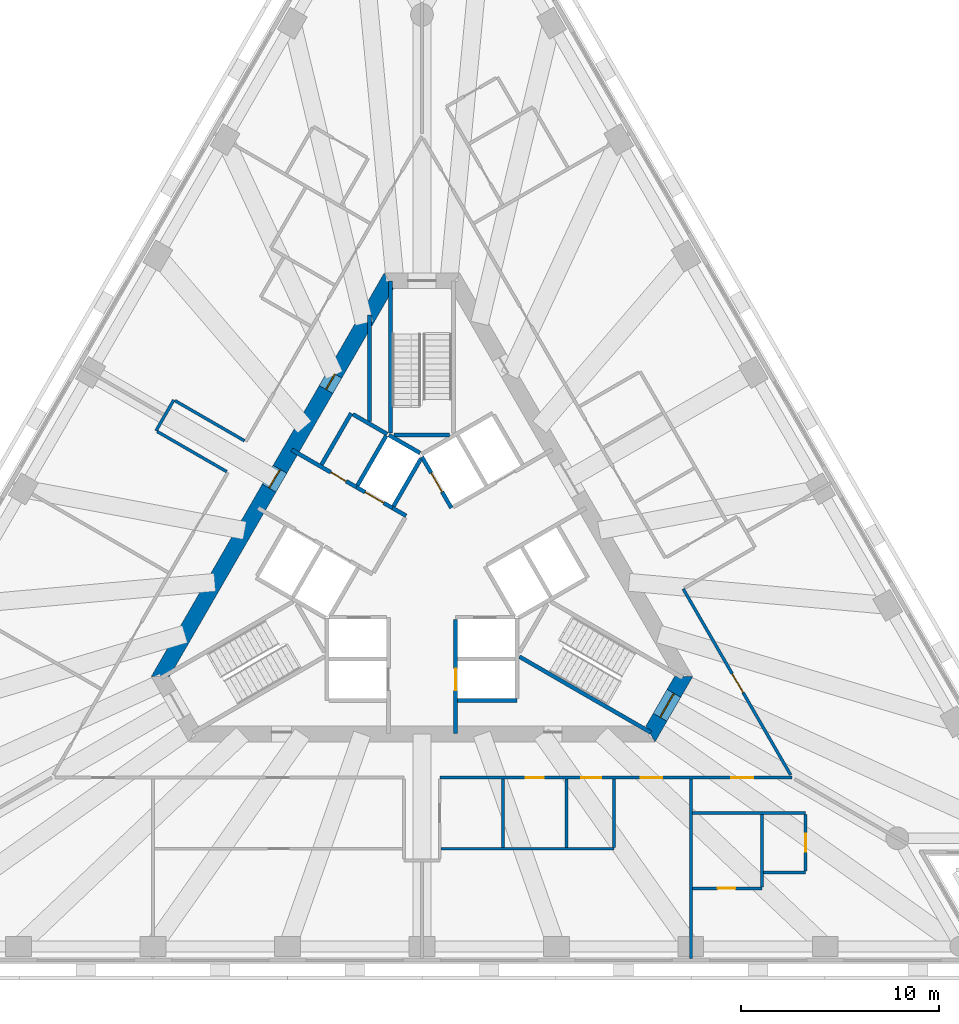
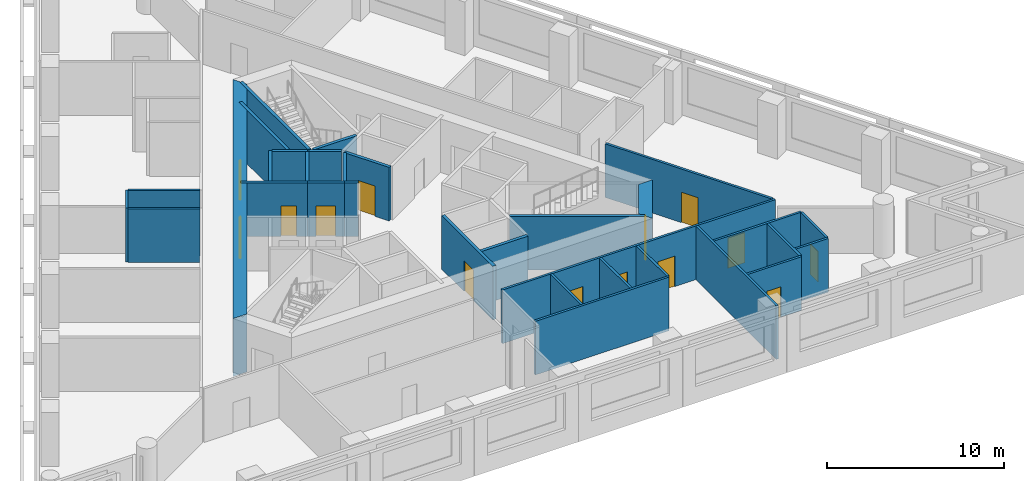
# One storey, part 4 of 9: 32 walls, 14 doors, 14 openings.
"""IFC4 building model written with IfcOpenShell, lengths in metres."""

from ifc_helpers import new_model, si_unit, direction, frame, frame_2d, origin, place, context, subcontext, project, spatial, polyline, rectangle, outline, extrude, material, layer, layer_set, type_object, element, fill, save


model = new_model("IFC4")

# Units and contexts
model_context = context("Model", 3, precision=1e-05, world=origin(), true_north=direction((0.0, 1.0)))
body_context = subcontext(model_context, "Body", "Model", "MODEL_VIEW")
ifc_project = project(units=[si_unit("LENGTHUNIT", "METRE"), si_unit("AREAUNIT", "SQUARE_METRE"), si_unit("VOLUMEUNIT", "CUBIC_METRE"), si_unit("PLANEANGLEUNIT", "RADIAN"), si_unit("MASSUNIT", "GRAM", prefix="KILO")], contexts=[model_context])

# Site, building, storey
site_placement = place(None, origin())
site = spatial("IfcSite", under=ifc_project, at=site_placement, CompositionType="ELEMENT")
building_placement = place(site_placement, origin())
building = spatial("IfcBuilding", under=site, at=building_placement, Name="Triada Interchange Tower", CompositionType="ELEMENT")
storey_placement = place(building_placement, frame((0.0, 0.0, 132.300048828125)))
storey = spatial("IfcBuildingStorey", under=building, at=storey_placement, Name="L30", CompositionType="ELEMENT", Elevation=132.300048828125)

# Wall
ifc_material_1 = material(Name="Concrete C30/37", Category="concrete")
ifc_layer_1 = layer(ifc_material_1, 0.199951171875)
ifc_layer_set_1 = layer_set([ifc_layer_1], Name="CORE WALL 200 EI 120")
wall_type_1 = type_object("IfcWallType", Name="CORE WALL 200 EI 120", PredefinedType="SOLIDWALL", material=ifc_layer_set_1)
wall_1_placement = place(storey_placement, frame((1.800048828125, -6.89990234375, 0.0), z_axis=(0.0, 0.0, 1.0), x_axis=(1.0, 0.0, 0.0)))
element("IfcWall", 1, at=wall_1_placement, inside=storey, type_object=wall_type_1, Name="Wall L29 58", PredefinedType="SOLIDWALL", context=body_context, shape_type="SweptSolid", body=[
    extrude(rectangle(XDim=3.0, YDim=0.199951171875, at=frame_2d((1.5, 0.0))), origin(), (0.0, 0.0, 1.0), 3.699951171875),
])

# Wall, opening, door
wall_2_placement = place(storey_placement, frame((0.0, 5.39990234375, 0.0), z_axis=(0.0, 0.0, 1.0), x_axis=(0.500103862429, -0.865965430478, 0.0)))
wall_2 = element("IfcWall", 2, at=wall_2_placement, inside=storey, type_object=wall_type_1, Name="Wall L29 65", PredefinedType="SOLIDWALL", context=body_context, shape_type="SweptSolid", body=[
    extrude(rectangle(XDim=2.973388671875, YDim=0.199951171875, at=frame_2d((1.48681640625, 0.0))), origin(), (0.0, 0.0, 1.0), 3.699951171875),
])
opening_1_placement = place(wall_2_placement, frame((0.93701171875, 0.0, 0.0)))
opening_1 = element("IfcOpeningElement", 3, at=opening_1_placement, cuts=wall_2, Name="Opening LD-LR5", PredefinedType="OPENING", context=body_context, shape_type="SweptSolid", body=[
    extrude(rectangle(XDim=1.10009765625, YDim=2.10009765625, at=frame_2d((0.550048828125, 1.050048828125))), frame((0.0, 0.10986328125, 0.0), z_axis=(0.0, -1.0, 0.0), x_axis=(1.0, 0.0, 0.0)), (0.0, 0.0, 1.0), 0.219970703125),
])
ifc_material_2 = material(Name="Steel S235 door leaf", Category="steel")
door_type_1 = type_object("IfcDoorType", Name="LIFT LANDING DOOR 1100 EI 120", OperationType="SLIDING_TO_LEFT", PredefinedType="DOOR", material=ifc_material_2)
door_1_placement = place(opening_1_placement, origin())
door_1 = element("IfcDoor", 4, at=door_1_placement, inside=storey, type_object=door_type_1, Name="LR5 landing door L30", OperationType="SLIDING_TO_LEFT", OverallHeight=2.10009765625, OverallWidth=1.10009765625, PredefinedType="DOOR", context=body_context, shape_type="SweptSolid", body=[
    extrude(rectangle(XDim=1.10009765625, YDim=2.10009765625, at=frame_2d((0.550048828125, 1.050048828125))), frame((0.0, 0.02490234375, 0.0), z_axis=(0.0, -1.0, 0.0), x_axis=(1.0, 0.0, 0.0)), (0.0, 0.0, 1.0), 0.050048828125),
])
fill(opening_1, door_1)

wall_3_placement = place(storey_placement, frame((1.699951171875, -8.580078125, 0.0), z_axis=(0.0, 0.0, 1.0), x_axis=(0.0, 1.0, 0.0)))
wall_3 = element("IfcWall", 5, at=wall_3_placement, inside=storey, type_object=wall_type_1, Name="Wall L29 68", PredefinedType="SOLIDWALL", context=body_context, shape_type="SweptSolid", body=[
    extrude(rectangle(XDim=5.777099609375, YDim=0.199951171875, at=frame_2d((2.888671875, 0.0))), origin(), (0.0, 0.0, 1.0), 3.699951171875),
])
opening_2_placement = place(wall_3_placement, frame((2.179931640625, 0.0, 0.0)))
opening_2 = element("IfcOpeningElement", 6, at=opening_2_placement, cuts=wall_3, Name="Opening LD-LR2", PredefinedType="OPENING", context=body_context, shape_type="SweptSolid", body=[
    extrude(rectangle(XDim=1.10009765625, YDim=2.10009765625, at=frame_2d((0.550048828125, 1.050048828125))), frame((0.0, 0.10986328125, 0.0), z_axis=(0.0, -1.0, 0.0), x_axis=(1.0, 0.0, 0.0)), (0.0, 0.0, 1.0), 0.219970703125),
])
door_2_placement = place(opening_2_placement, origin())
door_2 = element("IfcDoor", 7, at=door_2_placement, inside=storey, type_object=door_type_1, Name="LR2 landing door L30", OperationType="SLIDING_TO_LEFT", OverallHeight=2.10009765625, OverallWidth=1.10009765625, PredefinedType="DOOR", context=body_context, shape_type="SweptSolid", body=[
    extrude(rectangle(XDim=1.10009765625, YDim=2.10009765625, at=frame_2d((0.550048828125, 1.050048828125))), frame((0.0, 0.02490234375, 0.0), z_axis=(0.0, -1.0, 0.0), x_axis=(1.0, 0.0, 0.0)), (0.0, 0.0, 1.0), 0.050048828125),
])
fill(opening_2, door_2)

ifc_layer_2 = layer(ifc_material_1, 0.199951171875)
ifc_layer_set_2 = layer_set([ifc_layer_2], Name="CORE WALL 200 EI 180")
wall_type_2 = type_object("IfcWallType", Name="CORE WALL 200 EI 180", PredefinedType="SOLIDWALL", material=ifc_layer_set_2)
wall_4_placement = place(storey_placement, frame((-6.580078125, 5.761962890625, 0.0), z_axis=(0.0, 0.0, 1.0), x_axis=(0.866029704776, -0.49999255039, 0.0)))
wall_4 = element("IfcWall", 8, at=wall_4_placement, inside=storey, type_object=wall_type_2, Name="Wall L29 78", PredefinedType="SOLIDWALL", context=body_context, shape_type="SweptSolid", body=[
    extrude(rectangle(XDim=3.78173828125, YDim=0.199951171875, at=frame_2d((1.890869140625, 0.0))), origin(), (0.0, 0.0, 1.0), 3.699951171875),
])
opening_3_placement = place(wall_4_placement, frame((2.279052734375, 0.0, 0.0)))
opening_3 = element("IfcOpeningElement", 9, at=opening_3_placement, cuts=wall_4, Name="Opening D29-10", PredefinedType="OPENING", context=body_context, shape_type="SweptSolid", body=[
    extrude(rectangle(XDim=0.89990234375, YDim=2.10009765625, at=frame_2d((0.449951171875, 1.050048828125))), frame((0.0, 0.10986328125, 0.0), z_axis=(0.0, -1.0, 0.0), x_axis=(1.0, 0.0, 0.0)), (0.0, 0.0, 1.0), 0.219970703125),
])
door_type_2 = type_object("IfcDoorType", Name="SERVICE DOOR 900 EI2 90-C5S200", OperationType="NOTDEFINED", PredefinedType="DOOR", material=ifc_material_2)
door_3_placement = place(opening_3_placement, origin())
door_3 = element("IfcDoor", 10, at=door_3_placement, inside=storey, type_object=door_type_2, Name="Door D29-10 L30", OperationType="SINGLE_SWING_LEFT", OverallHeight=2.10009765625, OverallWidth=0.89990234375, PredefinedType="DOOR", context=body_context, shape_type="SweptSolid", body=[
    extrude(rectangle(XDim=0.89990234375, YDim=2.10009765625, at=frame_2d((0.449951171875, 1.050048828125))), frame((0.0, 0.02490234375, 0.0), z_axis=(0.0, -1.0, 0.0), x_axis=(1.0, 0.0, 0.0)), (0.0, 0.0, 1.0), 0.050048828125),
])
fill(opening_3, door_3)

# Walls
wall_5_placement = place(storey_placement, frame((-1.488037109375, 2.822021484375, 0.0), z_axis=(0.0, 0.0, 1.0), x_axis=(0.866236612152, -0.499633997809, 0.0)))
element("IfcWall", 11, at=wall_5_placement, inside=storey, type_object=wall_type_2, Name="Wall L29 79", PredefinedType="SOLIDWALL", context=body_context, shape_type="SweptSolid", body=[
    extrude(rectangle(XDim=0.79638671875, YDim=0.199951171875, at=frame_2d((0.398193359375, 0.0))), origin(), (0.0, 0.0, 1.0), 3.699951171875),
])
wall_6_placement = place(storey_placement, frame((-5.075927734375, 5.009033203125, 0.0), z_axis=(0.0, 0.0, 1.0), x_axis=(0.50002537861, 0.866010750942, 0.0)))
element("IfcWall", 12, at=wall_6_placement, inside=storey, type_object=wall_type_2, Name="Wall L29 80", PredefinedType="SOLIDWALL", context=body_context, shape_type="SweptSolid", body=[
    extrude(rectangle(XDim=2.999755859375, YDim=0.199951171875, at=frame_2d((1.5, 0.0))), origin(), (0.0, 0.0, 1.0), 3.699951171875),
])
wall_7_placement = place(storey_placement, frame((-3.489013671875, 7.556884765625, 0.0), z_axis=(0.0, 0.0, 1.0), x_axis=(0.866010750942, -0.50002537861, 0.0)))
element("IfcWall", 13, at=wall_7_placement, inside=storey, type_object=wall_type_2, Name="Wall L29 81", PredefinedType="SOLIDWALL", context=body_context, shape_type="SweptSolid", body=[
    extrude(rectangle(XDim=2.0, YDim=0.199951171875, at=frame_2d((1.0, 0.0))), origin(), (0.0, 0.0, 1.0), 3.699951171875),
])

# Wall, opening, door
wall_8_placement = place(storey_placement, frame((-3.30908203125, 3.873046875, 0.0), z_axis=(0.0, 0.0, 1.0), x_axis=(0.866098583652, -0.499873227325, 0.0)))
wall_8 = element("IfcWall", 14, at=wall_8_placement, inside=storey, type_object=wall_type_2, Name="Shaft wall FF2 L29 87", PredefinedType="SOLIDWALL", context=body_context, shape_type="SweptSolid", body=[
    extrude(rectangle(XDim=2.1025390625, YDim=0.199951171875, at=frame_2d((1.05126953125, 0.0))), origin(), (0.0, 0.0, 1.0), 3.699951171875),
])
opening_4_placement = place(wall_8_placement, frame((0.501953125, 0.0, 0.0)))
opening_4 = element("IfcOpeningElement", 15, at=opening_4_placement, cuts=wall_8, Name="Opening LD-FF2", PredefinedType="OPENING", context=body_context, shape_type="SweptSolid", body=[
    extrude(rectangle(XDim=1.10009765625, YDim=2.10009765625, at=frame_2d((0.550048828125, 1.050048828125))), frame((0.0, 0.10986328125, 0.0), z_axis=(0.0, -1.0, 0.0), x_axis=(1.0, 0.0, 0.0)), (0.0, 0.0, 1.0), 0.219970703125),
])
door_4_placement = place(opening_4_placement, origin())
door_4 = element("IfcDoor", 16, at=door_4_placement, inside=storey, type_object=door_type_1, Name="FF2 landing door L30", OperationType="SLIDING_TO_LEFT", OverallHeight=2.10009765625, OverallWidth=1.10009765625, PredefinedType="DOOR", context=body_context, shape_type="SweptSolid", body=[
    extrude(rectangle(XDim=1.10009765625, YDim=2.10009765625, at=frame_2d((0.550048828125, 1.050048828125))), frame((0.0, 0.02490234375, 0.0), z_axis=(0.0, -1.0, 0.0), x_axis=(1.0, 0.0, 0.0)), (0.0, 0.0, 1.0), 0.050048828125),
])
fill(opening_4, door_4)

# Walls
wall_9_placement = place(storey_placement, frame((-3.257080078125, 3.958984375, 0.0), z_axis=(0.0, 0.0, 1.0), x_axis=(0.50012328804, 0.865954211699, 0.0)))
element("IfcWall", 17, at=wall_9_placement, inside=storey, type_object=wall_type_2, Name="Shaft wall FF2 L29 88", PredefinedType="SOLIDWALL", context=body_context, shape_type="SweptSolid", body=[
    extrude(rectangle(XDim=2.899658203125, YDim=0.199951171875, at=frame_2d((1.44970703125, 0.0))), origin(), (0.0, 0.0, 1.0), 3.699951171875),
])
wall_10_placement = place(storey_placement, frame((-1.669921875, 6.507080078125, 0.0), z_axis=(0.0, 0.0, 1.0), x_axis=(0.865941441609, -0.500145398563, 0.0)))
element("IfcWall", 18, at=wall_10_placement, inside=storey, type_object=wall_type_2, Name="Shaft wall FF2 L29 89", PredefinedType="SOLIDWALL", context=body_context, shape_type="SweptSolid", body=[
    extrude(rectangle(XDim=1.8154296875, YDim=0.199951171875, at=frame_2d((0.90771484375, 0.0))), origin(), (0.0, 0.0, 1.0), 3.699951171875),
])
wall_11_placement = place(storey_placement, frame((-1.43798828125, 2.908935546875, 0.0), z_axis=(0.0, 0.0, 1.0), x_axis=(0.499829630636, 0.866123744241, 0.0)))
element("IfcWall", 19, at=wall_11_placement, inside=storey, type_object=wall_type_2, Name="Shaft wall FF2 L29 90", PredefinedType="SOLIDWALL", context=body_context, shape_type="SweptSolid", body=[
    extrude(rectangle(XDim=2.7607421875, YDim=0.199951171875, at=frame_2d((1.38037109375, 0.0))), origin(), (0.0, 0.0, 1.0), 3.699951171875),
])
ifc_layer_3 = layer(ifc_material_1, 0.199951171875)
ifc_layer_set_3 = layer_set([ifc_layer_3], Name="CORE WALL 200 EI 90")
wall_type_3 = type_object("IfcWallType", Name="CORE WALL 200 EI 90", PredefinedType="SOLIDWALL", material=ifc_layer_set_3)
wall_12_placement = place(storey_placement, frame((-2.64404296875, 7.18505859375, 0.0), z_axis=(0.0, 0.0, 1.0), x_axis=(0.0, 1.0, 0.0)))
element("IfcWall", 20, at=wall_12_placement, inside=storey, type_object=wall_type_3, Name="Wall L29 91", PredefinedType="SOLIDWALL", context=body_context, shape_type="SweptSolid", body=[
    extrude(rectangle(XDim=5.39501953125, YDim=0.199951171875, at=frame_2d((2.697509765625, 0.0))), origin(), (0.0, 0.0, 1.0), 3.699951171875),
])
ifc_layer_4 = layer(ifc_material_1, 0.199951171875)
ifc_layer_set_4 = layer_set([ifc_layer_4], Name="CORE WALL 200 REI 240")
wall_type_4 = type_object("IfcWallType", Name="CORE WALL 200 REI 240", PredefinedType="SOLIDWALL", material=ifc_layer_set_4)
wall_13_placement = place(storey_placement, frame((-1.39990234375, 6.5, 0.0), z_axis=(0.0, 0.0, 1.0), x_axis=(1.0, 0.0, 0.0)))
element("IfcWall", 21, at=wall_13_placement, inside=storey, type_object=wall_type_4, Name="Wall L29 96", PredefinedType="SOLIDWALL", context=body_context, shape_type="SweptSolid", body=[
    extrude(rectangle(XDim=2.7998046875, YDim=0.199951171875, at=frame_2d((1.39990234375, 0.0))), origin(), (0.0, 0.0, 1.0), 3.699951171875),
])
for number, where, z_axis, x_axis, name in (
    (22, (-1.60009765625, 6.614990234375, 0.0), (0.0, 0.0, 1.0), (0.0, 1.0, 0.0), "Wall L29 97"),
    (23, (4.928955078125, -4.693115234375, 0.0), (0.0, 0.0, 1.0), (0.866005769735, -0.50003400563, 0.0), "Wall L29 98"),
):
    element("IfcWall", number, at=place(storey_placement, frame(where, z_axis=z_axis, x_axis=x_axis)), inside=storey, type_object=wall_type_4, Name=name, PredefinedType="SOLIDWALL", context=body_context, shape_type="SweptSolid", body=[
        extrude(rectangle(XDim=7.6650390625, YDim=0.199951171875, at=frame_2d((3.83251953125, 0.0))), origin(), (0.0, 0.0, 1.0), 3.699951171875),
    ])

# Wall, openings, doors
ifc_material_3 = material(Name="Concrete C60/75", Category="concrete")
ifc_layer_5 = layer(ifc_material_3, 0.800048828125)
ifc_layer_set_5 = layer_set([ifc_layer_5], Name="Core wall B 800")
wall_type_5 = type_object("IfcWallType", Name="Core wall B 800", PredefinedType="SHEAR", material=ifc_layer_set_5)
wall_14_placement = place(storey_placement, frame((-1.674072265625, 14.300048828125, -0.300048828125), z_axis=(0.0, 0.0, 1.0), x_axis=(-0.499995765644, -0.866027848477, 0.0)))
wall_14 = element("IfcWall", 24, at=wall_14_placement, inside=storey, type_object=wall_type_5, Name="Core wall WB02 L30", PredefinedType="SHEAR", context=body_context, shape_type="SweptSolid", body=[
    extrude(outline(polyline([(-0.23095703125, -0.39990234375), (1.73193359375, -0.39990234375), (3.695068359375, -0.39990234375), (5.657958984375, -0.39990234375), (7.62109375, -0.39990234375), (9.583984375, -0.39990234375), (11.546875, -0.39990234375), (13.510009765625, -0.39990234375), (15.472900390625, -0.39990234375), (17.43603515625, -0.39990234375), (19.39892578125, -0.39990234375), (21.362060546875, -0.39990234375), (23.324951171875, -0.39990234375), (22.863037109375, 0.39990234375), (20.97705078125, 0.39990234375), (19.091064453125, 0.39990234375), (17.205078125, 0.39990234375), (15.319091796875, 0.39990234375), (13.43310546875, 0.39990234375), (11.546875, 0.39990234375), (9.660888671875, 0.39990234375), (7.77490234375, 0.39990234375), (5.888916015625, 0.39990234375), (4.0029296875, 0.39990234375), (2.116943359375, 0.39990234375), (0.23095703125, 0.39990234375), (-0.23095703125, -0.39990234375)])), origin(), (0.0, 0.0, 1.0), 4.0),
])
opening_5_placement = place(wall_14_placement, frame((10.9970703125, 0.0, 0.300048828125)))
opening_5 = element("IfcOpeningElement", 25, at=opening_5_placement, cuts=wall_14, Name="Opening D29-41", PredefinedType="OPENING", context=body_context, shape_type="SweptSolid", body=[
    extrude(rectangle(XDim=1.10009765625, YDim=2.10009765625, at=frame_2d((0.550048828125, 1.050048828125))), frame((0.0, 0.409912109375, 0.0), z_axis=(0.0, -1.0, 0.0), x_axis=(1.0, 0.0, 0.0)), (0.0, 0.0, 1.0), 0.820068359375),
])
opening_6_placement = place(wall_14_placement, frame((5.444091796875, 0.0, 0.300048828125)))
opening_6 = element("IfcOpeningElement", 26, at=opening_6_placement, cuts=wall_14, Name="Opening D29-43", PredefinedType="OPENING", context=body_context, shape_type="SweptSolid", body=[
    extrude(rectangle(XDim=0.89990234375, YDim=2.10009765625, at=frame_2d((0.449951171875, 1.050048828125))), frame((0.0, 0.409912109375, 0.0), z_axis=(0.0, -1.0, 0.0), x_axis=(1.0, 0.0, 0.0)), (0.0, 0.0, 1.0), 0.820068359375),
])
door_type_3 = type_object("IfcDoorType", Name="FIRE LOBBY DOOR 1100 EI2 90-C5S200", OperationType="NOTDEFINED", PredefinedType="DOOR", material=ifc_material_2)
door_5_placement = place(opening_5_placement, origin())
door_5 = element("IfcDoor", 27, at=door_5_placement, inside=storey, type_object=door_type_3, Name="Door D29-41 L30", OperationType="SINGLE_SWING_LEFT", OverallHeight=2.10009765625, OverallWidth=1.10009765625, PredefinedType="DOOR", context=body_context, shape_type="SweptSolid", body=[
    extrude(rectangle(XDim=1.10009765625, YDim=2.10009765625, at=frame_2d((0.550048828125, 1.050048828125))), frame((0.0, 0.02490234375, 0.0), z_axis=(0.0, -1.0, 0.0), x_axis=(1.0, 0.0, 0.0)), (0.0, 0.0, 1.0), 0.050048828125),
])
fill(opening_5, door_5)
door_type_4 = type_object("IfcDoorType", Name="RISER ACCESS DOOR 900 EI2 45-C5S200", OperationType="NOTDEFINED", PredefinedType="DOOR", material=ifc_material_2)
door_6_placement = place(opening_6_placement, origin())
door_6 = element("IfcDoor", 28, at=door_6_placement, inside=storey, type_object=door_type_4, Name="Door D29-43 L30", OperationType="SINGLE_SWING_LEFT", OverallHeight=2.10009765625, OverallWidth=0.89990234375, PredefinedType="DOOR", context=body_context, shape_type="SweptSolid", body=[
    extrude(rectangle(XDim=0.89990234375, YDim=2.10009765625, at=frame_2d((0.449951171875, 1.050048828125))), frame((0.0, 0.02490234375, 0.0), z_axis=(0.0, -1.0, 0.0), x_axis=(1.0, 0.0, 0.0)), (0.0, 0.0, 1.0), 0.050048828125),
])
fill(opening_6, door_6)

# Wall, opening, door
wall_15_placement = place(storey_placement, frame((11.547119140625, -8.60009765625, -0.300048828125), z_axis=(0.0, 0.0, 1.0), x_axis=(0.49987182685, 0.866099391942, 0.0)))
wall_15 = element("IfcWall", 29, at=wall_15_placement, inside=storey, type_object=wall_type_5, Name="Core wall WB05 L30", PredefinedType="SHEAR", context=body_context, shape_type="SweptSolid", body=[
    extrude(outline(polyline([(-0.23095703125, -0.39990234375), (1.674072265625, -0.39990234375), (3.5791015625, -0.39990234375), (3.117919921875, 0.39990234375), (1.67431640625, 0.39990234375), (0.23095703125, 0.39990234375), (-0.23095703125, -0.39990234375)])), origin(), (0.0, 0.0, 1.0), 4.0),
])
opening_7_placement = place(wall_15_placement, frame((0.97412109375, 0.0, 0.300048828125)))
opening_7 = element("IfcOpeningElement", 30, at=opening_7_placement, cuts=wall_15, Name="Opening D29-40", PredefinedType="OPENING", context=body_context, shape_type="SweptSolid", body=[
    extrude(rectangle(XDim=1.39990234375, YDim=2.10009765625, at=frame_2d((0.699951171875, 1.050048828125))), frame((0.0, 0.409912109375, 0.0), z_axis=(0.0, -1.0, 0.0), x_axis=(1.0, 0.0, 0.0)), (0.0, 0.0, 1.0), 0.820068359375),
])
door_type_5 = type_object("IfcDoorType", Name="STAIR DOOR 1400 EI2 90-C5S200", OperationType="DOUBLE_DOOR_SINGLE_SWING", PredefinedType="DOOR", material=ifc_material_2)
door_7_placement = place(opening_7_placement, origin())
door_7 = element("IfcDoor", 31, at=door_7_placement, inside=storey, type_object=door_type_5, Name="Door D29-40 L30", OperationType="DOUBLE_DOOR_SINGLE_SWING", OverallHeight=2.10009765625, OverallWidth=1.39990234375, PredefinedType="DOOR", context=body_context, shape_type="SweptSolid", body=[
    extrude(rectangle(XDim=1.39990234375, YDim=2.10009765625, at=frame_2d((0.699951171875, 1.050048828125))), frame((0.0, 0.02490234375, 0.0), z_axis=(0.0, -1.0, 0.0), x_axis=(1.0, 0.0, 0.0)), (0.0, 0.0, 1.0), 0.050048828125),
])
fill(opening_7, door_7)

# Wall, openings, doors
ifc_material_4 = material(Name="Gypsum board partition")
ifc_layer_6 = layer(ifc_material_4, 0.14990234375)
ifc_layer_set_6 = layer_set([ifc_layer_6], Name="PARTITION 150 EI 180")
wall_type_6 = type_object("IfcWallType", Name="PARTITION 150 EI 180", PredefinedType="PARTITIONING", material=ifc_layer_set_6)
wall_16_placement = place(storey_placement, frame((0.90087890625, -10.800048828125, 0.0), z_axis=(0.0, 0.0, 1.0), x_axis=(1.0, 0.0, 0.0)))
wall_16 = element("IfcWall", 32, at=wall_16_placement, inside=storey, type_object=wall_type_6, Name="Wall L29 5", PredefinedType="PARTITIONING", context=body_context, shape_type="SweptSolid", body=[
    extrude(rectangle(XDim=17.80517578125, YDim=0.14990234375, at=frame_2d((8.902587890625, 0.0))), origin(), (0.0, 0.0, 1.0), 3.699951171875),
])
opening_8_placement = place(wall_16_placement, frame((10.14892578125, 0.0, 0.0)))
opening_8 = element("IfcOpeningElement", 33, at=opening_8_placement, cuts=wall_16, Name="Opening D29-14", PredefinedType="OPENING", context=body_context, shape_type="SweptSolid", body=[
    extrude(rectangle(XDim=1.10009765625, YDim=2.10009765625, at=frame_2d((0.550048828125, 1.050048828125))), frame((0.0, 0.0849609375, 0.0), z_axis=(0.0, -1.0, 0.0), x_axis=(1.0, 0.0, 0.0)), (0.0, 0.0, 1.0), 0.169921875),
])
opening_9_placement = place(wall_16_placement, frame((4.34912109375, 0.0, 0.0)))
opening_9 = element("IfcOpeningElement", 34, at=opening_9_placement, cuts=wall_16, Name="Opening D29-16", PredefinedType="OPENING", context=body_context, shape_type="SweptSolid", body=[
    extrude(rectangle(XDim=0.89990234375, YDim=2.10009765625, at=frame_2d((0.449951171875, 1.050048828125))), frame((0.0, 0.0849609375, 0.0), z_axis=(0.0, -1.0, 0.0), x_axis=(1.0, 0.0, 0.0)), (0.0, 0.0, 1.0), 0.169921875),
])
opening_10_placement = place(wall_16_placement, frame((7.14892578125, 0.0, 0.0)))
opening_10 = element("IfcOpeningElement", 35, at=opening_10_placement, cuts=wall_16, Name="Opening D29-17", PredefinedType="OPENING", context=body_context, shape_type="SweptSolid", body=[
    extrude(rectangle(XDim=1.0, YDim=2.10009765625, at=frame_2d((0.5, 1.050048828125))), frame((0.0, 0.0849609375, 0.0), z_axis=(0.0, -1.0, 0.0), x_axis=(1.0, 0.0, 0.0)), (0.0, 0.0, 1.0), 0.169921875),
])
opening_11_placement = place(wall_16_placement, frame((14.737060546875, 0.0, 0.0)))
opening_11 = element("IfcOpeningElement", 36, at=opening_11_placement, cuts=wall_16, Name="Opening D29-18", PredefinedType="OPENING", context=body_context, shape_type="SweptSolid", body=[
    extrude(rectangle(XDim=1.10009765625, YDim=2.10009765625, at=frame_2d((0.550048828125, 1.050048828125))), frame((0.0, 0.0849609375, 0.0), z_axis=(0.0, -1.0, 0.0), x_axis=(1.0, 0.0, 0.0)), (0.0, 0.0, 1.0), 0.169921875),
])
door_type_6 = type_object("IfcDoorType", Name="ROOM DOOR 1000 EI2 90-C5S200", OperationType="NOTDEFINED", PredefinedType="DOOR", material=ifc_material_2)
door_8_placement = place(opening_10_placement, origin())
door_8 = element("IfcDoor", 37, at=door_8_placement, inside=storey, type_object=door_type_6, Name="Door D29-17 L30", OperationType="SINGLE_SWING_RIGHT", OverallHeight=2.10009765625, OverallWidth=1.0, PredefinedType="DOOR", context=body_context, shape_type="SweptSolid", body=[
    extrude(rectangle(XDim=1.0, YDim=2.10009765625, at=frame_2d((0.5, 1.050048828125))), frame((0.0, 0.02490234375, 0.0), z_axis=(0.0, -1.0, 0.0), x_axis=(1.0, 0.0, 0.0)), (0.0, 0.0, 1.0), 0.050048828125),
])
fill(opening_10, door_8)
door_type_7 = type_object("IfcDoorType", Name="ROOM DOOR 900 EI2 90-C5S200", OperationType="NOTDEFINED", PredefinedType="DOOR", material=ifc_material_2)
door_9_placement = place(opening_9_placement, origin())
door_9 = element("IfcDoor", 38, at=door_9_placement, inside=storey, type_object=door_type_7, Name="Door D29-16 L30", OperationType="SINGLE_SWING_RIGHT", OverallHeight=2.10009765625, OverallWidth=0.89990234375, PredefinedType="DOOR", context=body_context, shape_type="SweptSolid", body=[
    extrude(rectangle(XDim=0.89990234375, YDim=2.10009765625, at=frame_2d((0.449951171875, 1.050048828125))), frame((0.0, 0.02490234375, 0.0), z_axis=(0.0, -1.0, 0.0), x_axis=(1.0, 0.0, 0.0)), (0.0, 0.0, 1.0), 0.050048828125),
])
fill(opening_9, door_9)
door_type_8 = type_object("IfcDoorType", Name="TENANCY ENTRANCE DOOR 1100 EI2 90-C5S200", OperationType="NOTDEFINED", PredefinedType="DOOR", material=ifc_material_2)
door_10_placement = place(opening_8_placement, origin())
door_10 = element("IfcDoor", 39, at=door_10_placement, inside=storey, type_object=door_type_8, Name="Door D29-14 L30", OperationType="SINGLE_SWING_LEFT", OverallHeight=2.10009765625, OverallWidth=1.10009765625, PredefinedType="DOOR", context=body_context, shape_type="SweptSolid", body=[
    extrude(rectangle(XDim=1.10009765625, YDim=2.10009765625, at=frame_2d((0.550048828125, 1.050048828125))), frame((0.0, 0.02490234375, 0.0), z_axis=(0.0, -1.0, 0.0), x_axis=(1.0, 0.0, 0.0)), (0.0, 0.0, 1.0), 0.050048828125),
])
fill(opening_8, door_10)
door_11_placement = place(opening_11_placement, origin())
door_11 = element("IfcDoor", 40, at=door_11_placement, inside=storey, type_object=door_type_8, Name="Door D29-18 L30", OperationType="SINGLE_SWING_LEFT", OverallHeight=2.10009765625, OverallWidth=1.10009765625, PredefinedType="DOOR", context=body_context, shape_type="SweptSolid", body=[
    extrude(rectangle(XDim=1.10009765625, YDim=2.10009765625, at=frame_2d((0.550048828125, 1.050048828125))), frame((0.0, 0.02490234375, 0.0), z_axis=(0.0, -1.0, 0.0), x_axis=(1.0, 0.0, 0.0)), (0.0, 0.0, 1.0), 0.050048828125),
])
fill(opening_11, door_11)

# Walls
wall_17_placement = place(storey_placement, frame((-13.43994140625, 6.720947265625, 0.0), z_axis=(0.0, 0.0, 1.0), x_axis=(0.500137434689, 0.865946041288, 0.0)))
element("IfcWall", 41, at=wall_17_placement, inside=storey, type_object=wall_type_6, Name="Wall L29 13", PredefinedType="PARTITIONING", context=body_context, shape_type="SweptSolid", body=[
    extrude(rectangle(XDim=1.79931640625, YDim=0.14990234375, at=frame_2d((0.899658203125, 0.0))), origin(), (0.0, 0.0, 1.0), 3.699951171875),
])
wall_18_placement = place(storey_placement, frame((-12.47509765625, 8.241943359375, 0.0), z_axis=(0.0, 0.0, 1.0), x_axis=(0.865955608197, -0.500120870022, 0.0)))
element("IfcWall", 42, at=wall_18_placement, inside=storey, type_object=wall_type_6, Name="Wall L29 14", PredefinedType="PARTITIONING", context=body_context, shape_type="SweptSolid", body=[
    extrude(rectangle(XDim=4.048828125, YDim=0.14990234375, at=frame_2d((2.0244140625, 0.0))), origin(), (0.0, 0.0, 1.0), 3.699951171875),
])
wall_19_placement = place(storey_placement, frame((-13.375, 6.68310546875, 0.0), z_axis=(0.0, 0.0, 1.0), x_axis=(0.866033948129, -0.499985200469, 0.0)))
element("IfcWall", 43, at=wall_19_placement, inside=storey, type_object=wall_type_6, Name="Wall L29 15", PredefinedType="PARTITIONING", context=body_context, shape_type="SweptSolid", body=[
    extrude(rectangle(XDim=4.04833984375, YDim=0.14990234375, at=frame_2d((2.024169921875, 0.0))), origin(), (0.0, 0.0, 1.0), 3.699951171875),
])

# Wall, opening, door
wall_20_placement = place(storey_placement, frame((13.200927734375, -1.263916015625, 0.0), z_axis=(0.0, 0.0, 1.0), x_axis=(0.499973466559, -0.866040722332, 0.0)))
wall_20 = element("IfcWall", 44, at=wall_20_placement, inside=storey, type_object=wall_type_6, Name="Wall L29 25", PredefinedType="PARTITIONING", context=body_context, shape_type="SweptSolid", body=[
    extrude(rectangle(XDim=10.86083984375, YDim=0.14990234375, at=frame_2d((5.430419921875, 0.0))), origin(), (0.0, 0.0, 1.0), 3.699951171875),
])
opening_12_placement = place(wall_20_placement, frame((4.9599609375, 0.0, 0.0)))
opening_12 = element("IfcOpeningElement", 45, at=opening_12_placement, cuts=wall_20, Name="Opening D29-21", PredefinedType="OPENING", context=body_context, shape_type="SweptSolid", body=[
    extrude(rectangle(XDim=1.10009765625, YDim=2.10009765625, at=frame_2d((0.550048828125, 1.050048828125))), frame((0.0, 0.0849609375, 0.0), z_axis=(0.0, -1.0, 0.0), x_axis=(1.0, 0.0, 0.0)), (0.0, 0.0, 1.0), 0.169921875),
])
door_12_placement = place(opening_12_placement, origin())
door_12 = element("IfcDoor", 46, at=door_12_placement, inside=storey, type_object=door_type_8, Name="Door D29-21 L30", OperationType="SINGLE_SWING_RIGHT", OverallHeight=2.10009765625, OverallWidth=1.10009765625, PredefinedType="DOOR", context=body_context, shape_type="SweptSolid", body=[
    extrude(rectangle(XDim=1.10009765625, YDim=2.10009765625, at=frame_2d((0.550048828125, 1.050048828125))), frame((0.0, 0.02490234375, 0.0), z_axis=(0.0, -1.0, 0.0), x_axis=(1.0, 0.0, 0.0)), (0.0, 0.0, 1.0), 0.050048828125),
])
fill(opening_12, door_12)

# Walls
wall_21_placement = place(storey_placement, frame((0.97509765625, -14.39990234375, 0.0), z_axis=(0.0, 0.0, 1.0), x_axis=(1.0, 0.0, 0.0)))
element("IfcWall", 47, at=wall_21_placement, inside=storey, type_object=wall_type_6, Name="Wall L29 26", PredefinedType="PARTITIONING", context=body_context, shape_type="SweptSolid", body=[
    extrude(rectangle(XDim=8.724853515625, YDim=0.14990234375, at=frame_2d((4.3623046875, 0.0))), origin(), (0.0, 0.0, 1.0), 3.699951171875),
])
for number, where, z_axis, x_axis, name in (
    (48, (4.10009765625, -14.324951171875, 0.0), (0.0, 0.0, 1.0), (0.0, 1.0, 0.0), "Wall L29 28"),
    (49, (9.699951171875, -14.324951171875, 0.0), (0.0, 0.0, 1.0), (0.0, 1.0, 0.0), "Wall L29 29"),
    (50, (7.300048828125, -14.324951171875, 0.0), (0.0, 0.0, 1.0), (0.0, 1.0, 0.0), "Wall L29 30"),
):
    element("IfcWall", number, at=place(storey_placement, frame(where, z_axis=z_axis, x_axis=x_axis)), inside=storey, type_object=wall_type_6, Name=name, PredefinedType="PARTITIONING", context=body_context, shape_type="SweptSolid", body=[
        extrude(rectangle(XDim=3.449951171875, YDim=0.14990234375, at=frame_2d((1.72509765625, 0.0))), origin(), (0.0, 0.0, 1.0), 3.699951171875),
    ])
wall_22_placement = place(storey_placement, frame((13.587890625, -19.951904296875, 0.0), z_axis=(0.0, 0.0, 1.0), x_axis=(0.0, 1.0, 0.0)))
element("IfcWall", 51, at=wall_22_placement, inside=storey, type_object=wall_type_6, Name="Wall L29 36", PredefinedType="PARTITIONING", context=body_context, shape_type="SweptSolid", body=[
    extrude(rectangle(XDim=9.076904296875, YDim=0.14990234375, at=frame_2d((4.53857421875, 0.0))), origin(), (0.0, 0.0, 1.0), 3.699951171875),
])

# Wall, opening, door
ifc_layer_7 = layer(ifc_material_4, 0.14990234375)
ifc_layer_set_7 = layer_set([ifc_layer_7], Name="PARTITION 150 EI 90")
wall_type_7 = type_object("IfcWallType", Name="PARTITION 150 EI 90", PredefinedType="PARTITIONING", material=ifc_layer_set_7)
wall_23_placement = place(storey_placement, frame((13.6630859375, -16.39990234375, 0.0), z_axis=(0.0, 0.0, 1.0), x_axis=(1.0, 0.0, 0.0)))
wall_23 = element("IfcWall", 52, at=wall_23_placement, inside=storey, type_object=wall_type_7, Name="Wall L29 49", PredefinedType="PARTITIONING", context=body_context, shape_type="SweptSolid", body=[
    extrude(rectangle(XDim=3.52490234375, YDim=0.14990234375, at=frame_2d((1.762451171875, 0.0))), origin(), (0.0, 0.0, 1.0), 3.699951171875),
])
opening_13_placement = place(wall_23_placement, frame((1.27490234375, 0.0, 0.0)))
opening_13 = element("IfcOpeningElement", 53, at=opening_13_placement, cuts=wall_23, Name="Opening D29-19", PredefinedType="OPENING", context=body_context, shape_type="SweptSolid", body=[
    extrude(rectangle(XDim=0.89990234375, YDim=2.10009765625, at=frame_2d((0.449951171875, 1.050048828125))), frame((0.0, 0.0849609375, 0.0), z_axis=(0.0, -1.0, 0.0), x_axis=(1.0, 0.0, 0.0)), (0.0, 0.0, 1.0), 0.169921875),
])
door_type_9 = type_object("IfcDoorType", Name="ROOM DOOR 900 EI2 45-C5S200", OperationType="NOTDEFINED", PredefinedType="DOOR", material=ifc_material_2)
door_13_placement = place(opening_13_placement, origin())
door_13 = element("IfcDoor", 54, at=door_13_placement, inside=storey, type_object=door_type_9, Name="Door D29-19 L30", OperationType="SINGLE_SWING_LEFT", OverallHeight=2.10009765625, OverallWidth=0.89990234375, PredefinedType="DOOR", context=body_context, shape_type="SweptSolid", body=[
    extrude(rectangle(XDim=0.89990234375, YDim=2.10009765625, at=frame_2d((0.449951171875, 1.050048828125))), frame((0.0, 0.02490234375, 0.0), z_axis=(0.0, -1.0, 0.0), x_axis=(1.0, 0.0, 0.0)), (0.0, 0.0, 1.0), 0.050048828125),
])
fill(opening_13, door_13)

# Walls
wall_24_placement = place(storey_placement, frame((17.18798828125, -16.324951171875, 0.0), z_axis=(0.0, 0.0, 1.0), x_axis=(0.0, 1.0, 0.0)))
element("IfcWall", 55, at=wall_24_placement, inside=storey, type_object=wall_type_7, Name="Wall L29 50", PredefinedType="PARTITIONING", context=body_context, shape_type="SweptSolid", body=[
    extrude(rectangle(XDim=3.64990234375, YDim=0.14990234375, at=frame_2d((1.824951171875, 0.0))), origin(), (0.0, 0.0, 1.0), 3.699951171875),
])
wall_25_placement = place(storey_placement, frame((13.6630859375, -12.60009765625, 0.0), z_axis=(0.0, 0.0, 1.0), x_axis=(1.0, 0.0, 0.0)))
element("IfcWall", 56, at=wall_25_placement, inside=storey, type_object=wall_type_7, Name="Wall L29 51", PredefinedType="PARTITIONING", context=body_context, shape_type="SweptSolid", body=[
    extrude(rectangle(XDim=5.724853515625, YDim=0.14990234375, at=frame_2d((2.8623046875, 0.0))), origin(), (0.0, 0.0, 1.0), 3.699951171875),
])
wall_26_placement = place(storey_placement, frame((17.262939453125, -15.60009765625, 0.0), z_axis=(0.0, 0.0, 1.0), x_axis=(1.0, 0.0, 0.0)))
element("IfcWall", 57, at=wall_26_placement, inside=storey, type_object=wall_type_7, Name="Wall L29 52", PredefinedType="PARTITIONING", context=body_context, shape_type="SweptSolid", body=[
    extrude(rectangle(XDim=2.125, YDim=0.14990234375, at=frame_2d((1.0625, 0.0))), origin(), (0.0, 0.0, 1.0), 3.699951171875),
])

# Wall, opening, door
wall_27_placement = place(storey_placement, frame((19.387939453125, -15.52490234375, 0.0), z_axis=(0.0, 0.0, 1.0), x_axis=(0.0, 1.0, 0.0)))
wall_27 = element("IfcWall", 58, at=wall_27_placement, inside=storey, type_object=wall_type_7, Name="Wall L29 53", PredefinedType="PARTITIONING", context=body_context, shape_type="SweptSolid", body=[
    extrude(rectangle(XDim=2.849853515625, YDim=0.14990234375, at=frame_2d((1.4248046875, 0.0))), origin(), (0.0, 0.0, 1.0), 3.699951171875),
])
opening_14_placement = place(wall_27_placement, frame((0.97509765625, 0.0, 0.0)))
opening_14 = element("IfcOpeningElement", 59, at=opening_14_placement, cuts=wall_27, Name="Opening D29-20", PredefinedType="OPENING", context=body_context, shape_type="SweptSolid", body=[
    extrude(rectangle(XDim=0.89990234375, YDim=2.10009765625, at=frame_2d((0.449951171875, 1.050048828125))), frame((0.0, 0.0849609375, 0.0), z_axis=(0.0, -1.0, 0.0), x_axis=(1.0, 0.0, 0.0)), (0.0, 0.0, 1.0), 0.169921875),
])
door_type_10 = type_object("IfcDoorType", Name="SERVICE DOOR 900 EI2 45-C5S200", OperationType="NOTDEFINED", PredefinedType="DOOR", material=ifc_material_2)
door_14_placement = place(opening_14_placement, origin())
door_14 = element("IfcDoor", 60, at=door_14_placement, inside=storey, type_object=door_type_10, Name="Door D29-20 L30", OperationType="SINGLE_SWING_RIGHT", OverallHeight=2.10009765625, OverallWidth=0.89990234375, PredefinedType="DOOR", context=body_context, shape_type="SweptSolid", body=[
    extrude(rectangle(XDim=0.89990234375, YDim=2.10009765625, at=frame_2d((0.449951171875, 1.050048828125))), frame((0.0, 0.02490234375, 0.0), z_axis=(0.0, -1.0, 0.0), x_axis=(1.0, 0.0, 0.0)), (0.0, 0.0, 1.0), 0.050048828125),
])
fill(opening_14, door_14)

save(model, "model.ifc")
